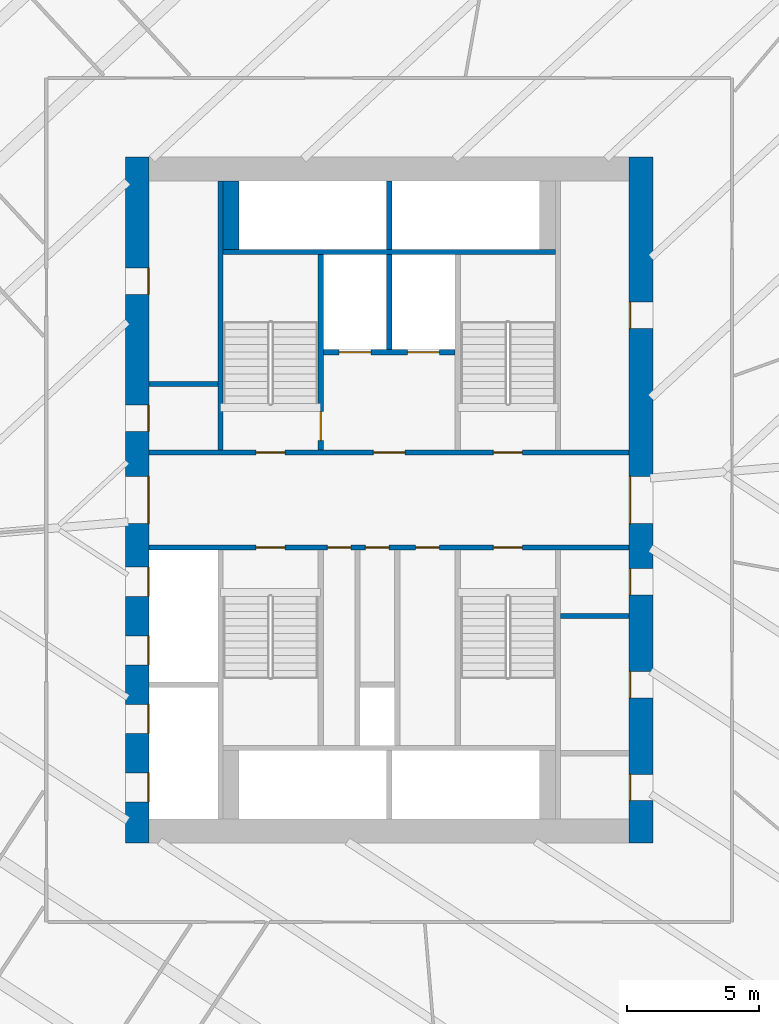
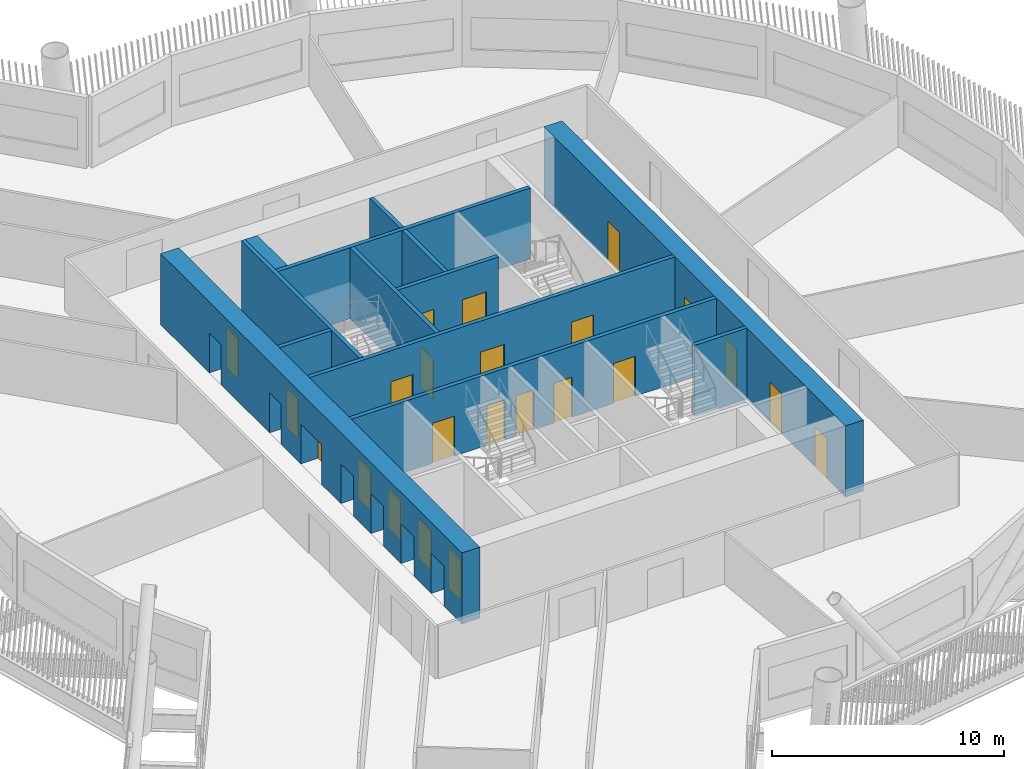
# One storey, part 5 of 22: 23 doors, 13 walls, 23 openings.
"""IFC4 building model written with IfcOpenShell, lengths in metres."""

from ifc_helpers import new_model, si_unit, direction, frame, frame_2d, origin, place, context, subcontext, project, spatial, rectangle, extrude, material, layer, layer_set, type_object, element, fill, save


model = new_model("IFC4")

# Units and contexts
model_context = context("Model", 3, precision=1e-05, world=origin(), true_north=direction((0.0, 1.0)))
body_context = subcontext(model_context, "Body", "Model", "MODEL_VIEW")
ifc_project = project(units=[si_unit("LENGTHUNIT", "METRE"), si_unit("AREAUNIT", "SQUARE_METRE"), si_unit("VOLUMEUNIT", "CUBIC_METRE"), si_unit("PLANEANGLEUNIT", "RADIAN"), si_unit("MASSUNIT", "GRAM", prefix="KILO")], contexts=[model_context])

# Site, building, storey
site_placement = place(None, origin())
site = spatial("IfcSite", under=ifc_project, at=site_placement, CompositionType="ELEMENT")
building_placement = place(site_placement, origin())
building = spatial("IfcBuilding", under=site, at=building_placement, Name="Tarsis Ring Headquarters", CompositionType="ELEMENT")
storey_placement = place(building_placement, frame((0.0, 0.0, 63.39990234375)))
storey = spatial("IfcBuildingStorey", under=building, at=storey_placement, Name="L13", CompositionType="ELEMENT", Elevation=63.39990234375)

# Walls
ifc_material_1 = material(Name="Blockwork", Category="masonry")
ifc_layer_1 = layer(ifc_material_1, 0.199951171875)
ifc_layer_set_1 = layer_set([ifc_layer_1], Name="Core blockwork wall 200")
wall_type_1 = type_object("IfcWallType", Name="Core blockwork wall 200", PredefinedType="PARTITIONING", material=ifc_layer_set_1)
for number, where, z_axis, x_axis, name in (
    (1, (-9.10009765625, 4.39990234375, 0.0), (0.0, 0.0, 1.0), (1.0, 0.0, 0.0), "Core partition WD5"),
    (2, (6.5, -4.39990234375, 0.0), (0.0, 0.0, 1.0), (1.0, 0.0, 0.0), "Core partition ED3"),
):
    element("IfcWall", number, at=place(storey_placement, frame(where, z_axis=z_axis, x_axis=x_axis)), inside=storey, type_object=wall_type_1, Name=name, PredefinedType="PARTITIONING", context=body_context, shape_type="SweptSolid", body=[
        extrude(rectangle(XDim=2.60009765625, YDim=0.199951171875, at=frame_2d((1.300048828125, 0.0))), origin(), (0.0, 0.0, 1.0), 3.739990234375),
    ])

# Wall, openings, doors
ifc_material_2 = material(Name="Concrete C60/75", Category="concrete")
ifc_layer_2 = layer(ifc_material_2, 0.89990234375)
ifc_layer_set_2 = layer_set([ifc_layer_2], Name="Core wall 900 C60/75")
wall_type_2 = type_object("IfcWallType", Name="Core wall 900 C60/75", PredefinedType="SHEAR", material=ifc_layer_set_2)
wall_1_placement = place(storey_placement, frame((-9.550048828125, -13.0, 0.0), z_axis=(0.0, 0.0, 1.0), x_axis=(0.0, 1.0, 0.0)))
wall_1 = element("IfcWall", 3, at=wall_1_placement, inside=storey, type_object=wall_type_2, Name="Core wall OW", PredefinedType="SHEAR", context=body_context, shape_type="SweptSolid", body=[
    extrude(rectangle(XDim=26.0, YDim=0.89990234375, at=frame_2d((13.0, 0.0))), origin(), (0.0, 0.0, 1.0), 3.739990234375),
])
opening_1_placement = place(wall_1_placement, frame((1.550048828125, 0.0, 0.0)))
opening_1 = element("IfcOpeningElement", 4, at=opening_1_placement, cuts=wall_1, Name="Opening LD-LR1", PredefinedType="OPENING", context=body_context, shape_type="SweptSolid", body=[
    extrude(rectangle(XDim=1.10009765625, YDim=2.10009765625, at=frame_2d((0.550048828125, 1.050048828125))), frame((0.0, 0.4599609375, 0.0), z_axis=(0.0, -1.0, 0.0), x_axis=(1.0, 0.0, 0.0)), (0.0, 0.0, 1.0), 0.919921875),
])
opening_2_placement = place(wall_1_placement, frame((4.14990234375, 0.0, 0.0)))
opening_2 = element("IfcOpeningElement", 5, at=opening_2_placement, cuts=wall_1, Name="Opening LD-LR2", PredefinedType="OPENING", context=body_context, shape_type="SweptSolid", body=[
    extrude(rectangle(XDim=1.10009765625, YDim=2.10009765625, at=frame_2d((0.550048828125, 1.050048828125))), frame((0.0, 0.4599609375, 0.0), z_axis=(0.0, -1.0, 0.0), x_axis=(1.0, 0.0, 0.0)), (0.0, 0.0, 1.0), 0.919921875),
])
opening_3_placement = place(wall_1_placement, frame((6.75, 0.0, 0.0)))
opening_3 = element("IfcOpeningElement", 6, at=opening_3_placement, cuts=wall_1, Name="Opening LD-LR3", PredefinedType="OPENING", context=body_context, shape_type="SweptSolid", body=[
    extrude(rectangle(XDim=1.10009765625, YDim=2.10009765625, at=frame_2d((0.550048828125, 1.050048828125))), frame((0.0, 0.4599609375, 0.0), z_axis=(0.0, -1.0, 0.0), x_axis=(1.0, 0.0, 0.0)), (0.0, 0.0, 1.0), 0.919921875),
])
opening_4_placement = place(wall_1_placement, frame((9.35009765625, 0.0, 0.0)))
opening_4 = element("IfcOpeningElement", 7, at=opening_4_placement, cuts=wall_1, Name="Opening LD-LR4", PredefinedType="OPENING", context=body_context, shape_type="SweptSolid", body=[
    extrude(rectangle(XDim=1.10009765625, YDim=2.10009765625, at=frame_2d((0.550048828125, 1.050048828125))), frame((0.0, 0.4599609375, 0.0), z_axis=(0.0, -1.0, 0.0), x_axis=(1.0, 0.0, 0.0)), (0.0, 0.0, 1.0), 0.919921875),
])
opening_5_placement = place(wall_1_placement, frame((12.10009765625, 0.0, 0.0)))
opening_5 = element("IfcOpeningElement", 8, at=opening_5_placement, cuts=wall_1, Name="Opening L13-C05", PredefinedType="OPENING", context=body_context, shape_type="SweptSolid", body=[
    extrude(rectangle(XDim=1.800048828125, YDim=2.10009765625, at=frame_2d((0.89990234375, 1.050048828125))), frame((0.0, 0.4599609375, 0.0), z_axis=(0.0, -1.0, 0.0), x_axis=(1.0, 0.0, 0.0)), (0.0, 0.0, 1.0), 0.919921875),
])
opening_6_placement = place(wall_1_placement, frame((15.60009765625, 0.0, 0.0)))
opening_6 = element("IfcOpeningElement", 9, at=opening_6_placement, cuts=wall_1, Name="Opening L13-C06", PredefinedType="OPENING", context=body_context, shape_type="SweptSolid", body=[
    extrude(rectangle(XDim=1.0, YDim=2.10009765625, at=frame_2d((0.5, 1.050048828125))), frame((0.0, 0.4599609375, 0.0), z_axis=(0.0, -1.0, 0.0), x_axis=(1.0, 0.0, 0.0)), (0.0, 0.0, 1.0), 0.919921875),
])
opening_7_placement = place(wall_1_placement, frame((20.800048828125, 0.0, 0.0)))
opening_7 = element("IfcOpeningElement", 10, at=opening_7_placement, cuts=wall_1, Name="Opening L13-C07", PredefinedType="OPENING", context=body_context, shape_type="SweptSolid", body=[
    extrude(rectangle(XDim=1.0, YDim=2.10009765625, at=frame_2d((0.5, 1.050048828125))), frame((0.0, 0.4599609375, 0.0), z_axis=(0.0, -1.0, 0.0), x_axis=(1.0, 0.0, 0.0)), (0.0, 0.0, 1.0), 0.919921875),
])
ifc_material_3 = material(Name="Steel S355", Category="steel")
door_type_1 = type_object("IfcDoorType", Name="Core entry door 1800x2100", OperationType="DOUBLE_DOOR_SINGLE_SWING", PredefinedType="DOOR", material=ifc_material_3)
door_1_placement = place(opening_5_placement, origin())
door_1 = element("IfcDoor", 11, at=door_1_placement, inside=storey, type_object=door_type_1, Name="Core entry door L13", OperationType="DOUBLE_DOOR_SINGLE_SWING", OverallHeight=2.10009765625, OverallWidth=1.800048828125, PredefinedType="DOOR", context=body_context, shape_type="SweptSolid", body=[
    extrude(rectangle(XDim=1.800048828125, YDim=2.10009765625, at=frame_2d((0.89990234375, 1.050048828125))), frame((0.0, -0.39990234375, 0.0), z_axis=(0.0, -1.0, 0.0), x_axis=(1.0, 0.0, 0.0)), (0.0, 0.0, 1.0), 0.050048828125),
])
fill(opening_5, door_1)
door_type_2 = type_object("IfcDoorType", Name="Core room door 1000x2100", OperationType="SINGLE_SWING_LEFT", PredefinedType="DOOR", material=ifc_material_3)
door_2_placement = place(opening_6_placement, origin())
door_2 = element("IfcDoor", 12, at=door_2_placement, inside=storey, type_object=door_type_2, Name="Core room door L13", OperationType="SINGLE_SWING_LEFT", OverallHeight=2.10009765625, OverallWidth=1.0, PredefinedType="DOOR", context=body_context, shape_type="SweptSolid", body=[
    extrude(rectangle(XDim=1.0, YDim=2.10009765625, at=frame_2d((0.5, 1.050048828125))), frame((0.0, -0.39990234375, 0.0), z_axis=(0.0, -1.0, 0.0), x_axis=(1.0, 0.0, 0.0)), (0.0, 0.0, 1.0), 0.050048828125),
])
fill(opening_6, door_2)
door_3_placement = place(opening_7_placement, origin())
door_3 = element("IfcDoor", 13, at=door_3_placement, inside=storey, type_object=door_type_2, Name="Core room door L13", OperationType="SINGLE_SWING_LEFT", OverallHeight=2.10009765625, OverallWidth=1.0, PredefinedType="DOOR", context=body_context, shape_type="SweptSolid", body=[
    extrude(rectangle(XDim=1.0, YDim=2.10009765625, at=frame_2d((0.5, 1.050048828125))), frame((0.0, -0.39990234375, 0.0), z_axis=(0.0, -1.0, 0.0), x_axis=(1.0, 0.0, 0.0)), (0.0, 0.0, 1.0), 0.050048828125),
])
fill(opening_7, door_3)
door_type_3 = type_object("IfcDoorType", Name="Landing door 1100x2100", OperationType="SLIDING_TO_LEFT", PredefinedType="DOOR", material=ifc_material_3)
door_4_placement = place(opening_1_placement, origin())
door_4 = element("IfcDoor", 14, at=door_4_placement, inside=storey, type_object=door_type_3, Name="Landing door LR1 L13", OperationType="SLIDING_TO_LEFT", OverallHeight=2.10009765625, OverallWidth=1.10009765625, PredefinedType="DOOR", context=body_context, shape_type="SweptSolid", body=[
    extrude(rectangle(XDim=1.10009765625, YDim=2.10009765625, at=frame_2d((0.550048828125, 1.050048828125))), frame((0.0, -0.39990234375, 0.0), z_axis=(0.0, -1.0, 0.0), x_axis=(1.0, 0.0, 0.0)), (0.0, 0.0, 1.0), 0.050048828125),
])
fill(opening_1, door_4)
door_5_placement = place(opening_2_placement, origin())
door_5 = element("IfcDoor", 15, at=door_5_placement, inside=storey, type_object=door_type_3, Name="Landing door LR2 L13", OperationType="SLIDING_TO_LEFT", OverallHeight=2.10009765625, OverallWidth=1.10009765625, PredefinedType="DOOR", context=body_context, shape_type="SweptSolid", body=[
    extrude(rectangle(XDim=1.10009765625, YDim=2.10009765625, at=frame_2d((0.550048828125, 1.050048828125))), frame((0.0, -0.39990234375, 0.0), z_axis=(0.0, -1.0, 0.0), x_axis=(1.0, 0.0, 0.0)), (0.0, 0.0, 1.0), 0.050048828125),
])
fill(opening_2, door_5)
door_6_placement = place(opening_3_placement, origin())
door_6 = element("IfcDoor", 16, at=door_6_placement, inside=storey, type_object=door_type_3, Name="Landing door LR3 L13", OperationType="SLIDING_TO_LEFT", OverallHeight=2.10009765625, OverallWidth=1.10009765625, PredefinedType="DOOR", context=body_context, shape_type="SweptSolid", body=[
    extrude(rectangle(XDim=1.10009765625, YDim=2.10009765625, at=frame_2d((0.550048828125, 1.050048828125))), frame((0.0, -0.39990234375, 0.0), z_axis=(0.0, -1.0, 0.0), x_axis=(1.0, 0.0, 0.0)), (0.0, 0.0, 1.0), 0.050048828125),
])
fill(opening_3, door_6)
door_7_placement = place(opening_4_placement, origin())
door_7 = element("IfcDoor", 17, at=door_7_placement, inside=storey, type_object=door_type_3, Name="Landing door LR4 L13", OperationType="SLIDING_TO_LEFT", OverallHeight=2.10009765625, OverallWidth=1.10009765625, PredefinedType="DOOR", context=body_context, shape_type="SweptSolid", body=[
    extrude(rectangle(XDim=1.10009765625, YDim=2.10009765625, at=frame_2d((0.550048828125, 1.050048828125))), frame((0.0, -0.39990234375, 0.0), z_axis=(0.0, -1.0, 0.0), x_axis=(1.0, 0.0, 0.0)), (0.0, 0.0, 1.0), 0.050048828125),
])
fill(opening_4, door_7)

wall_2_placement = place(storey_placement, frame((9.550048828125, -13.0, 0.0), z_axis=(0.0, 0.0, 1.0), x_axis=(0.0, 1.0, 0.0)))
wall_2 = element("IfcWall", 18, at=wall_2_placement, inside=storey, type_object=wall_type_2, Name="Core wall OE", PredefinedType="SHEAR", context=body_context, shape_type="SweptSolid", body=[
    extrude(rectangle(XDim=26.0, YDim=0.89990234375, at=frame_2d((13.0, 0.0))), origin(), (0.0, 0.0, 1.0), 3.739990234375),
])
opening_8_placement = place(wall_2_placement, frame((1.60009765625, 0.0, 0.0)))
opening_8 = element("IfcOpeningElement", 19, at=opening_8_placement, cuts=wall_2, Name="Opening L13-C08", PredefinedType="OPENING", context=body_context, shape_type="SweptSolid", body=[
    extrude(rectangle(XDim=1.0, YDim=2.10009765625, at=frame_2d((0.5, 1.050048828125))), frame((0.0, 0.4599609375, 0.0), z_axis=(0.0, -1.0, 0.0), x_axis=(1.0, 0.0, 0.0)), (0.0, 0.0, 1.0), 0.919921875),
])
opening_9_placement = place(wall_2_placement, frame((5.5, 0.0, 0.0)))
opening_9 = element("IfcOpeningElement", 20, at=opening_9_placement, cuts=wall_2, Name="Opening L13-C09", PredefinedType="OPENING", context=body_context, shape_type="SweptSolid", body=[
    extrude(rectangle(XDim=1.0, YDim=2.10009765625, at=frame_2d((0.5, 1.050048828125))), frame((0.0, 0.4599609375, 0.0), z_axis=(0.0, -1.0, 0.0), x_axis=(1.0, 0.0, 0.0)), (0.0, 0.0, 1.0), 0.919921875),
])
opening_10_placement = place(wall_2_placement, frame((9.39990234375, 0.0, 0.0)))
opening_10 = element("IfcOpeningElement", 21, at=opening_10_placement, cuts=wall_2, Name="Opening L13-C10", PredefinedType="OPENING", context=body_context, shape_type="SweptSolid", body=[
    extrude(rectangle(XDim=1.0, YDim=2.10009765625, at=frame_2d((0.5, 1.050048828125))), frame((0.0, 0.4599609375, 0.0), z_axis=(0.0, -1.0, 0.0), x_axis=(1.0, 0.0, 0.0)), (0.0, 0.0, 1.0), 0.919921875),
])
opening_11_placement = place(wall_2_placement, frame((12.10009765625, 0.0, 0.0)))
opening_11 = element("IfcOpeningElement", 22, at=opening_11_placement, cuts=wall_2, Name="Opening L13-C11", PredefinedType="OPENING", context=body_context, shape_type="SweptSolid", body=[
    extrude(rectangle(XDim=1.800048828125, YDim=2.10009765625, at=frame_2d((0.89990234375, 1.050048828125))), frame((0.0, 0.4599609375, 0.0), z_axis=(0.0, -1.0, 0.0), x_axis=(1.0, 0.0, 0.0)), (0.0, 0.0, 1.0), 0.919921875),
])
opening_12_placement = place(wall_2_placement, frame((19.5, 0.0, 0.0)))
opening_12 = element("IfcOpeningElement", 23, at=opening_12_placement, cuts=wall_2, Name="Opening L13-C12", PredefinedType="OPENING", context=body_context, shape_type="SweptSolid", body=[
    extrude(rectangle(XDim=1.0, YDim=2.10009765625, at=frame_2d((0.5, 1.050048828125))), frame((0.0, 0.4599609375, 0.0), z_axis=(0.0, -1.0, 0.0), x_axis=(1.0, 0.0, 0.0)), (0.0, 0.0, 1.0), 0.919921875),
])
door_8_placement = place(opening_11_placement, origin())
door_8 = element("IfcDoor", 24, at=door_8_placement, inside=storey, type_object=door_type_1, Name="Core entry door L13", OperationType="DOUBLE_DOOR_SINGLE_SWING", OverallHeight=2.10009765625, OverallWidth=1.800048828125, PredefinedType="DOOR", context=body_context, shape_type="SweptSolid", body=[
    extrude(rectangle(XDim=1.800048828125, YDim=2.10009765625, at=frame_2d((0.89990234375, 1.050048828125))), frame((0.0, 0.4501953125, 0.0), z_axis=(0.0, -1.0, 0.0), x_axis=(1.0, 0.0, 0.0)), (0.0, 0.0, 1.0), 0.050048828125),
])
fill(opening_11, door_8)
door_9_placement = place(opening_8_placement, origin())
door_9 = element("IfcDoor", 25, at=door_9_placement, inside=storey, type_object=door_type_2, Name="Core room door L13", OperationType="SINGLE_SWING_LEFT", OverallHeight=2.10009765625, OverallWidth=1.0, PredefinedType="DOOR", context=body_context, shape_type="SweptSolid", body=[
    extrude(rectangle(XDim=1.0, YDim=2.10009765625, at=frame_2d((0.5, 1.050048828125))), frame((0.0, 0.4501953125, 0.0), z_axis=(0.0, -1.0, 0.0), x_axis=(1.0, 0.0, 0.0)), (0.0, 0.0, 1.0), 0.050048828125),
])
fill(opening_8, door_9)
door_10_placement = place(opening_9_placement, origin())
door_10 = element("IfcDoor", 26, at=door_10_placement, inside=storey, type_object=door_type_2, Name="Core room door L13", OperationType="SINGLE_SWING_LEFT", OverallHeight=2.10009765625, OverallWidth=1.0, PredefinedType="DOOR", context=body_context, shape_type="SweptSolid", body=[
    extrude(rectangle(XDim=1.0, YDim=2.10009765625, at=frame_2d((0.5, 1.050048828125))), frame((0.0, 0.4501953125, 0.0), z_axis=(0.0, -1.0, 0.0), x_axis=(1.0, 0.0, 0.0)), (0.0, 0.0, 1.0), 0.050048828125),
])
fill(opening_9, door_10)
door_11_placement = place(opening_10_placement, origin())
door_11 = element("IfcDoor", 27, at=door_11_placement, inside=storey, type_object=door_type_2, Name="Core room door L13", OperationType="SINGLE_SWING_LEFT", OverallHeight=2.10009765625, OverallWidth=1.0, PredefinedType="DOOR", context=body_context, shape_type="SweptSolid", body=[
    extrude(rectangle(XDim=1.0, YDim=2.10009765625, at=frame_2d((0.5, 1.050048828125))), frame((0.0, 0.4501953125, 0.0), z_axis=(0.0, -1.0, 0.0), x_axis=(1.0, 0.0, 0.0)), (0.0, 0.0, 1.0), 0.050048828125),
])
fill(opening_10, door_11)
door_12_placement = place(opening_12_placement, origin())
door_12 = element("IfcDoor", 28, at=door_12_placement, inside=storey, type_object=door_type_2, Name="Core room door L13", OperationType="SINGLE_SWING_LEFT", OverallHeight=2.10009765625, OverallWidth=1.0, PredefinedType="DOOR", context=body_context, shape_type="SweptSolid", body=[
    extrude(rectangle(XDim=1.0, YDim=2.10009765625, at=frame_2d((0.5, 1.050048828125))), frame((0.0, 0.4501953125, 0.0), z_axis=(0.0, -1.0, 0.0), x_axis=(1.0, 0.0, 0.0)), (0.0, 0.0, 1.0), 0.050048828125),
])
fill(opening_12, door_12)

# Wall
ifc_material_4 = material(Name="Concrete C32/40", Category="concrete")
ifc_layer_3 = layer(ifc_material_4, 0.60009765625)
ifc_layer_set_3 = layer_set([ifc_layer_3], Name="Shaft end wall 600 C32/40")
wall_type_3 = type_object("IfcWallType", Name="Shaft end wall 600 C32/40", PredefinedType="SOLIDWALL", material=ifc_layer_set_3)
wall_3_placement = place(storey_placement, frame((-6.0, 9.5, 0.0), z_axis=(0.0, 0.0, 1.0), x_axis=(0.0, 1.0, 0.0)))
element("IfcWall", 29, at=wall_3_placement, inside=storey, type_object=wall_type_3, Name="Core shaft wall NNE1", PredefinedType="SOLIDWALL", context=body_context, shape_type="SweptSolid", body=[
    extrude(rectangle(XDim=2.60009765625, YDim=0.60009765625, at=frame_2d((1.300048828125, 0.0))), origin(), (0.0, 0.0, 1.0), 3.739990234375),
])

# Wall, openings, doors
ifc_layer_4 = layer(ifc_material_4, 0.199951171875)
ifc_layer_set_4 = layer_set([ifc_layer_4], Name="Shaft wall 200 C32/40")
wall_type_4 = type_object("IfcWallType", Name="Shaft wall 200 C32/40", PredefinedType="SOLIDWALL", material=ifc_layer_set_4)
wall_4_placement = place(storey_placement, frame((-9.10009765625, 1.800048828125, 0.0), z_axis=(0.0, 0.0, 1.0), x_axis=(1.0, 0.0, 0.0)))
wall_4 = element("IfcWall", 30, at=wall_4_placement, inside=storey, type_object=wall_type_4, Name="Core shaft wall CN", PredefinedType="SOLIDWALL", context=body_context, shape_type="SweptSolid", body=[
    extrude(rectangle(XDim=18.2001953125, YDim=0.199951171875, at=frame_2d((9.10009765625, 0.0))), origin(), (0.0, 0.0, 1.0), 3.739990234375),
])
opening_13_placement = place(wall_4_placement, frame((4.050048828125, 0.0, 0.0)))
opening_13 = element("IfcOpeningElement", 31, at=opening_13_placement, cuts=wall_4, Name="Opening L13-C13", PredefinedType="OPENING", context=body_context, shape_type="SweptSolid", body=[
    extrude(rectangle(XDim=1.10009765625, YDim=2.10009765625, at=frame_2d((0.550048828125, 1.050048828125))), frame((0.0, 0.10986328125, 0.0), z_axis=(0.0, -1.0, 0.0), x_axis=(1.0, 0.0, 0.0)), (0.0, 0.0, 1.0), 0.219970703125),
])
opening_14_placement = place(wall_4_placement, frame((8.5, 0.0, 0.0)))
opening_14 = element("IfcOpeningElement", 32, at=opening_14_placement, cuts=wall_4, Name="Opening L13-C14", PredefinedType="OPENING", context=body_context, shape_type="SweptSolid", body=[
    extrude(rectangle(XDim=1.199951171875, YDim=2.10009765625, at=frame_2d((0.60009765625, 1.050048828125))), frame((0.0, 0.10986328125, 0.0), z_axis=(0.0, -1.0, 0.0), x_axis=(1.0, 0.0, 0.0)), (0.0, 0.0, 1.0), 0.219970703125),
])
opening_15_placement = place(wall_4_placement, frame((13.050048828125, 0.0, 0.0)))
opening_15 = element("IfcOpeningElement", 33, at=opening_15_placement, cuts=wall_4, Name="Opening L13-C15", PredefinedType="OPENING", context=body_context, shape_type="SweptSolid", body=[
    extrude(rectangle(XDim=1.10009765625, YDim=2.10009765625, at=frame_2d((0.550048828125, 1.050048828125))), frame((0.0, 0.10986328125, 0.0), z_axis=(0.0, -1.0, 0.0), x_axis=(1.0, 0.0, 0.0)), (0.0, 0.0, 1.0), 0.219970703125),
])
door_type_4 = type_object("IfcDoorType", Name="Firefighting lobby door 1200x2100", OperationType="DOUBLE_DOOR_SINGLE_SWING", PredefinedType="DOOR", material=ifc_material_3)
door_13_placement = place(opening_14_placement, origin())
door_13 = element("IfcDoor", 34, at=door_13_placement, inside=storey, type_object=door_type_4, Name="Firefighting lobby door L13", OperationType="DOUBLE_DOOR_SINGLE_SWING", OverallHeight=2.10009765625, OverallWidth=1.199951171875, PredefinedType="DOOR", context=body_context, shape_type="SweptSolid", body=[
    extrude(rectangle(XDim=1.199951171875, YDim=2.10009765625, at=frame_2d((0.60009765625, 1.050048828125))), frame((0.0, 0.02490234375, 0.0), z_axis=(0.0, -1.0, 0.0), x_axis=(1.0, 0.0, 0.0)), (0.0, 0.0, 1.0), 0.050048828125),
])
fill(opening_14, door_13)
door_type_5 = type_object("IfcDoorType", Name="Stair door 1100x2100", OperationType="SINGLE_SWING_LEFT", PredefinedType="DOOR", material=ifc_material_3)
door_14_placement = place(opening_13_placement, origin())
door_14 = element("IfcDoor", 35, at=door_14_placement, inside=storey, type_object=door_type_5, Name="Stair door L13", OperationType="SINGLE_SWING_LEFT", OverallHeight=2.10009765625, OverallWidth=1.10009765625, PredefinedType="DOOR", context=body_context, shape_type="SweptSolid", body=[
    extrude(rectangle(XDim=1.10009765625, YDim=2.10009765625, at=frame_2d((0.550048828125, 1.050048828125))), frame((0.0, 0.02490234375, 0.0), z_axis=(0.0, -1.0, 0.0), x_axis=(1.0, 0.0, 0.0)), (0.0, 0.0, 1.0), 0.050048828125),
])
fill(opening_13, door_14)
door_15_placement = place(opening_15_placement, origin())
door_15 = element("IfcDoor", 36, at=door_15_placement, inside=storey, type_object=door_type_5, Name="Stair door L13", OperationType="SINGLE_SWING_LEFT", OverallHeight=2.10009765625, OverallWidth=1.10009765625, PredefinedType="DOOR", context=body_context, shape_type="SweptSolid", body=[
    extrude(rectangle(XDim=1.10009765625, YDim=2.10009765625, at=frame_2d((0.550048828125, 1.050048828125))), frame((0.0, 0.02490234375, 0.0), z_axis=(0.0, -1.0, 0.0), x_axis=(1.0, 0.0, 0.0)), (0.0, 0.0, 1.0), 0.050048828125),
])
fill(opening_15, door_15)

wall_5_placement = place(storey_placement, frame((-9.10009765625, -1.800048828125, 0.0), z_axis=(0.0, 0.0, 1.0), x_axis=(1.0, 0.0, 0.0)))
wall_5 = element("IfcWall", 37, at=wall_5_placement, inside=storey, type_object=wall_type_4, Name="Core shaft wall CS", PredefinedType="SOLIDWALL", context=body_context, shape_type="SweptSolid", body=[
    extrude(rectangle(XDim=18.2001953125, YDim=0.199951171875, at=frame_2d((9.10009765625, 0.0))), origin(), (0.0, 0.0, 1.0), 3.739990234375),
])
opening_16_placement = place(wall_5_placement, frame((4.050048828125, 0.0, 0.0)))
opening_16 = element("IfcOpeningElement", 38, at=opening_16_placement, cuts=wall_5, Name="Opening L13-C16", PredefinedType="OPENING", context=body_context, shape_type="SweptSolid", body=[
    extrude(rectangle(XDim=1.10009765625, YDim=2.10009765625, at=frame_2d((0.550048828125, 1.050048828125))), frame((0.0, 0.10986328125, 0.0), z_axis=(0.0, -1.0, 0.0), x_axis=(1.0, 0.0, 0.0)), (0.0, 0.0, 1.0), 0.219970703125),
])
opening_17_placement = place(wall_5_placement, frame((6.75, 0.0, 0.0)))
opening_17 = element("IfcOpeningElement", 39, at=opening_17_placement, cuts=wall_5, Name="Opening L13-C17", PredefinedType="OPENING", context=body_context, shape_type="SweptSolid", body=[
    extrude(rectangle(XDim=0.89990234375, YDim=2.10009765625, at=frame_2d((0.449951171875, 1.050048828125))), frame((0.0, 0.10986328125, 0.0), z_axis=(0.0, -1.0, 0.0), x_axis=(1.0, 0.0, 0.0)), (0.0, 0.0, 1.0), 0.219970703125),
])
opening_18_placement = place(wall_5_placement, frame((8.199951171875, 0.0, 0.0)))
opening_18 = element("IfcOpeningElement", 40, at=opening_18_placement, cuts=wall_5, Name="Opening L13-C18", PredefinedType="OPENING", context=body_context, shape_type="SweptSolid", body=[
    extrude(rectangle(XDim=0.89990234375, YDim=2.10009765625, at=frame_2d((0.449951171875, 1.050048828125))), frame((0.0, 0.10986328125, 0.0), z_axis=(0.0, -1.0, 0.0), x_axis=(1.0, 0.0, 0.0)), (0.0, 0.0, 1.0), 0.219970703125),
])
opening_19_placement = place(wall_5_placement, frame((10.10009765625, 0.0, 0.0)))
opening_19 = element("IfcOpeningElement", 41, at=opening_19_placement, cuts=wall_5, Name="Opening L13-C19", PredefinedType="OPENING", context=body_context, shape_type="SweptSolid", body=[
    extrude(rectangle(XDim=0.89990234375, YDim=2.10009765625, at=frame_2d((0.449951171875, 1.050048828125))), frame((0.0, 0.10986328125, 0.0), z_axis=(0.0, -1.0, 0.0), x_axis=(1.0, 0.0, 0.0)), (0.0, 0.0, 1.0), 0.219970703125),
])
opening_20_placement = place(wall_5_placement, frame((13.050048828125, 0.0, 0.0)))
opening_20 = element("IfcOpeningElement", 42, at=opening_20_placement, cuts=wall_5, Name="Opening L13-C20", PredefinedType="OPENING", context=body_context, shape_type="SweptSolid", body=[
    extrude(rectangle(XDim=1.10009765625, YDim=2.10009765625, at=frame_2d((0.550048828125, 1.050048828125))), frame((0.0, 0.10986328125, 0.0), z_axis=(0.0, -1.0, 0.0), x_axis=(1.0, 0.0, 0.0)), (0.0, 0.0, 1.0), 0.219970703125),
])
door_16_placement = place(opening_16_placement, origin())
door_16 = element("IfcDoor", 43, at=door_16_placement, inside=storey, type_object=door_type_5, Name="Stair door L13", OperationType="SINGLE_SWING_LEFT", OverallHeight=2.10009765625, OverallWidth=1.10009765625, PredefinedType="DOOR", context=body_context, shape_type="SweptSolid", body=[
    extrude(rectangle(XDim=1.10009765625, YDim=2.10009765625, at=frame_2d((0.550048828125, 1.050048828125))), frame((0.0, 0.02490234375, 0.0), z_axis=(0.0, -1.0, 0.0), x_axis=(1.0, 0.0, 0.0)), (0.0, 0.0, 1.0), 0.050048828125),
])
fill(opening_16, door_16)
door_17_placement = place(opening_20_placement, origin())
door_17 = element("IfcDoor", 44, at=door_17_placement, inside=storey, type_object=door_type_5, Name="Stair door L13", OperationType="SINGLE_SWING_LEFT", OverallHeight=2.10009765625, OverallWidth=1.10009765625, PredefinedType="DOOR", context=body_context, shape_type="SweptSolid", body=[
    extrude(rectangle(XDim=1.10009765625, YDim=2.10009765625, at=frame_2d((0.550048828125, 1.050048828125))), frame((0.0, 0.02490234375, 0.0), z_axis=(0.0, -1.0, 0.0), x_axis=(1.0, 0.0, 0.0)), (0.0, 0.0, 1.0), 0.050048828125),
])
fill(opening_20, door_17)
door_type_6 = type_object("IfcDoorType", Name="WC door 900x2100", OperationType="SINGLE_SWING_LEFT", PredefinedType="DOOR", material=ifc_material_3)
door_18_placement = place(opening_17_placement, origin())
door_18 = element("IfcDoor", 45, at=door_18_placement, inside=storey, type_object=door_type_6, Name="WC door L13", OperationType="SINGLE_SWING_LEFT", OverallHeight=2.10009765625, OverallWidth=0.89990234375, PredefinedType="DOOR", context=body_context, shape_type="SweptSolid", body=[
    extrude(rectangle(XDim=0.89990234375, YDim=2.10009765625, at=frame_2d((0.449951171875, 1.050048828125))), frame((0.0, 0.02490234375, 0.0), z_axis=(0.0, -1.0, 0.0), x_axis=(1.0, 0.0, 0.0)), (0.0, 0.0, 1.0), 0.050048828125),
])
fill(opening_17, door_18)
door_19_placement = place(opening_18_placement, origin())
door_19 = element("IfcDoor", 46, at=door_19_placement, inside=storey, type_object=door_type_6, Name="WC door L13", OperationType="SINGLE_SWING_LEFT", OverallHeight=2.10009765625, OverallWidth=0.89990234375, PredefinedType="DOOR", context=body_context, shape_type="SweptSolid", body=[
    extrude(rectangle(XDim=0.89990234375, YDim=2.10009765625, at=frame_2d((0.449951171875, 1.050048828125))), frame((0.0, 0.02490234375, 0.0), z_axis=(0.0, -1.0, 0.0), x_axis=(1.0, 0.0, 0.0)), (0.0, 0.0, 1.0), 0.050048828125),
])
fill(opening_18, door_19)
door_20_placement = place(opening_19_placement, origin())
door_20 = element("IfcDoor", 47, at=door_20_placement, inside=storey, type_object=door_type_6, Name="WC door L13", OperationType="SINGLE_SWING_LEFT", OverallHeight=2.10009765625, OverallWidth=0.89990234375, PredefinedType="DOOR", context=body_context, shape_type="SweptSolid", body=[
    extrude(rectangle(XDim=0.89990234375, YDim=2.10009765625, at=frame_2d((0.449951171875, 1.050048828125))), frame((0.0, 0.02490234375, 0.0), z_axis=(0.0, -1.0, 0.0), x_axis=(1.0, 0.0, 0.0)), (0.0, 0.0, 1.0), 0.050048828125),
])
fill(opening_19, door_20)

# Walls
wall_6_placement = place(storey_placement, frame((-6.39990234375, 1.89990234375, 0.0), z_axis=(0.0, 0.0, 1.0), x_axis=(0.0, 1.0, 0.0)))
element("IfcWall", 48, at=wall_6_placement, inside=storey, type_object=wall_type_4, Name="Core shaft wall WB2", PredefinedType="SOLIDWALL", context=body_context, shape_type="SweptSolid", body=[
    extrude(rectangle(XDim=10.2001953125, YDim=0.199951171875, at=frame_2d((5.10009765625, 0.0))), origin(), (0.0, 0.0, 1.0), 3.739990234375),
])
wall_7_placement = place(storey_placement, frame((-6.300048828125, 9.39990234375, 0.0), z_axis=(0.0, 0.0, 1.0), x_axis=(1.0, 0.0, 0.0)))
element("IfcWall", 49, at=wall_7_placement, inside=storey, type_object=wall_type_4, Name="Core shaft wall NB", PredefinedType="SOLIDWALL", context=body_context, shape_type="SweptSolid", body=[
    extrude(rectangle(XDim=12.60009765625, YDim=0.199951171875, at=frame_2d((6.300048828125, 0.0))), origin(), (0.0, 0.0, 1.0), 3.739990234375),
])

# Wall, opening, door
wall_8_placement = place(storey_placement, frame((-2.60009765625, 1.89990234375, 0.0), z_axis=(0.0, 0.0, 1.0), x_axis=(0.0, 1.0, 0.0)))
wall_8 = element("IfcWall", 50, at=wall_8_placement, inside=storey, type_object=wall_type_4, Name="Core shaft wall SW1", PredefinedType="SOLIDWALL", context=body_context, shape_type="SweptSolid", body=[
    extrude(rectangle(XDim=7.400146484375, YDim=0.199951171875, at=frame_2d((3.7001953125, 0.0))), origin(), (0.0, 0.0, 1.0), 3.739990234375),
])
opening_21_placement = place(wall_8_placement, frame((0.35009765625, 0.0, 0.0)))
opening_21 = element("IfcOpeningElement", 51, at=opening_21_placement, cuts=wall_8, Name="Opening L13-C21", PredefinedType="OPENING", context=body_context, shape_type="SweptSolid", body=[
    extrude(rectangle(XDim=1.10009765625, YDim=2.10009765625, at=frame_2d((0.550048828125, 1.050048828125))), frame((0.0, 0.10986328125, 0.0), z_axis=(0.0, -1.0, 0.0), x_axis=(1.0, 0.0, 0.0)), (0.0, 0.0, 1.0), 0.219970703125),
])
door_21_placement = place(opening_21_placement, origin())
door_21 = element("IfcDoor", 52, at=door_21_placement, inside=storey, type_object=door_type_5, Name="Stair door L13", OperationType="SINGLE_SWING_LEFT", OverallHeight=2.10009765625, OverallWidth=1.10009765625, PredefinedType="DOOR", context=body_context, shape_type="SweptSolid", body=[
    extrude(rectangle(XDim=1.10009765625, YDim=2.10009765625, at=frame_2d((0.550048828125, 1.050048828125))), frame((0.0, 0.02490234375, 0.0), z_axis=(0.0, -1.0, 0.0), x_axis=(1.0, 0.0, 0.0)), (0.0, 0.0, 1.0), 0.050048828125),
])
fill(opening_21, door_21)

# Wall, openings, doors
wall_9_placement = place(storey_placement, frame((-2.5, 5.60009765625, 0.0), z_axis=(0.0, 0.0, 1.0), x_axis=(1.0, 0.0, 0.0)))
wall_9 = element("IfcWall", 53, at=wall_9_placement, inside=storey, type_object=wall_type_4, Name="Core shaft wall FFN", PredefinedType="SOLIDWALL", context=body_context, shape_type="SweptSolid", body=[
    extrude(rectangle(XDim=5.0, YDim=0.199951171875, at=frame_2d((2.5, 0.0))), origin(), (0.0, 0.0, 1.0), 3.739990234375),
])
opening_22_placement = place(wall_9_placement, frame((0.60009765625, 0.0, 0.0)))
opening_22 = element("IfcOpeningElement", 54, at=opening_22_placement, cuts=wall_9, Name="Opening LDF-1", PredefinedType="OPENING", context=body_context, shape_type="SweptSolid", body=[
    extrude(rectangle(XDim=1.199951171875, YDim=2.10009765625, at=frame_2d((0.60009765625, 1.050048828125))), frame((0.0, 0.10986328125, 0.0), z_axis=(0.0, -1.0, 0.0), x_axis=(1.0, 0.0, 0.0)), (0.0, 0.0, 1.0), 0.219970703125),
])
opening_23_placement = place(wall_9_placement, frame((3.199951171875, 0.0, 0.0)))
opening_23 = element("IfcOpeningElement", 55, at=opening_23_placement, cuts=wall_9, Name="Opening LDF-2", PredefinedType="OPENING", context=body_context, shape_type="SweptSolid", body=[
    extrude(rectangle(XDim=1.199951171875, YDim=2.10009765625, at=frame_2d((0.60009765625, 1.050048828125))), frame((0.0, 0.10986328125, 0.0), z_axis=(0.0, -1.0, 0.0), x_axis=(1.0, 0.0, 0.0)), (0.0, 0.0, 1.0), 0.219970703125),
])
door_type_7 = type_object("IfcDoorType", Name="Firefighting landing door 1200x2100", OperationType="SLIDING_TO_LEFT", PredefinedType="DOOR", material=ifc_material_3)
door_22_placement = place(opening_22_placement, origin())
door_22 = element("IfcDoor", 56, at=door_22_placement, inside=storey, type_object=door_type_7, Name="Landing door FF1 L13", OperationType="SLIDING_TO_LEFT", OverallHeight=2.10009765625, OverallWidth=1.199951171875, PredefinedType="DOOR", context=body_context, shape_type="SweptSolid", body=[
    extrude(rectangle(XDim=1.199951171875, YDim=2.10009765625, at=frame_2d((0.60009765625, 1.050048828125))), frame((0.0, 0.02490234375, 0.0), z_axis=(0.0, -1.0, 0.0), x_axis=(1.0, 0.0, 0.0)), (0.0, 0.0, 1.0), 0.050048828125),
])
fill(opening_22, door_22)
door_23_placement = place(opening_23_placement, origin())
door_23 = element("IfcDoor", 57, at=door_23_placement, inside=storey, type_object=door_type_7, Name="Landing door FF2 L13", OperationType="SLIDING_TO_LEFT", OverallHeight=2.10009765625, OverallWidth=1.199951171875, PredefinedType="DOOR", context=body_context, shape_type="SweptSolid", body=[
    extrude(rectangle(XDim=1.199951171875, YDim=2.10009765625, at=frame_2d((0.60009765625, 1.050048828125))), frame((0.0, 0.02490234375, 0.0), z_axis=(0.0, -1.0, 0.0), x_axis=(1.0, 0.0, 0.0)), (0.0, 0.0, 1.0), 0.050048828125),
])
fill(opening_23, door_23)

# Walls
wall_10_placement = place(storey_placement, frame((0.0, 5.699951171875, 0.0), z_axis=(0.0, 0.0, 1.0), x_axis=(0.0, 1.0, 0.0)))
element("IfcWall", 58, at=wall_10_placement, inside=storey, type_object=wall_type_4, Name="Core shaft wall FFD", PredefinedType="SOLIDWALL", context=body_context, shape_type="SweptSolid", body=[
    extrude(rectangle(XDim=3.60009765625, YDim=0.199951171875, at=frame_2d((1.800048828125, 0.0))), origin(), (0.0, 0.0, 1.0), 3.739990234375),
])
wall_11_placement = place(storey_placement, frame((0.0, 9.5, 0.0), z_axis=(0.0, 0.0, 1.0), x_axis=(0.0, 1.0, 0.0)))
element("IfcWall", 59, at=wall_11_placement, inside=storey, type_object=wall_type_4, Name="Core shaft wall ND2", PredefinedType="SOLIDWALL", context=body_context, shape_type="SweptSolid", body=[
    extrude(rectangle(XDim=2.60009765625, YDim=0.199951171875, at=frame_2d((1.300048828125, 0.0))), origin(), (0.0, 0.0, 1.0), 3.739990234375),
])

save(model, "model.ifc")
